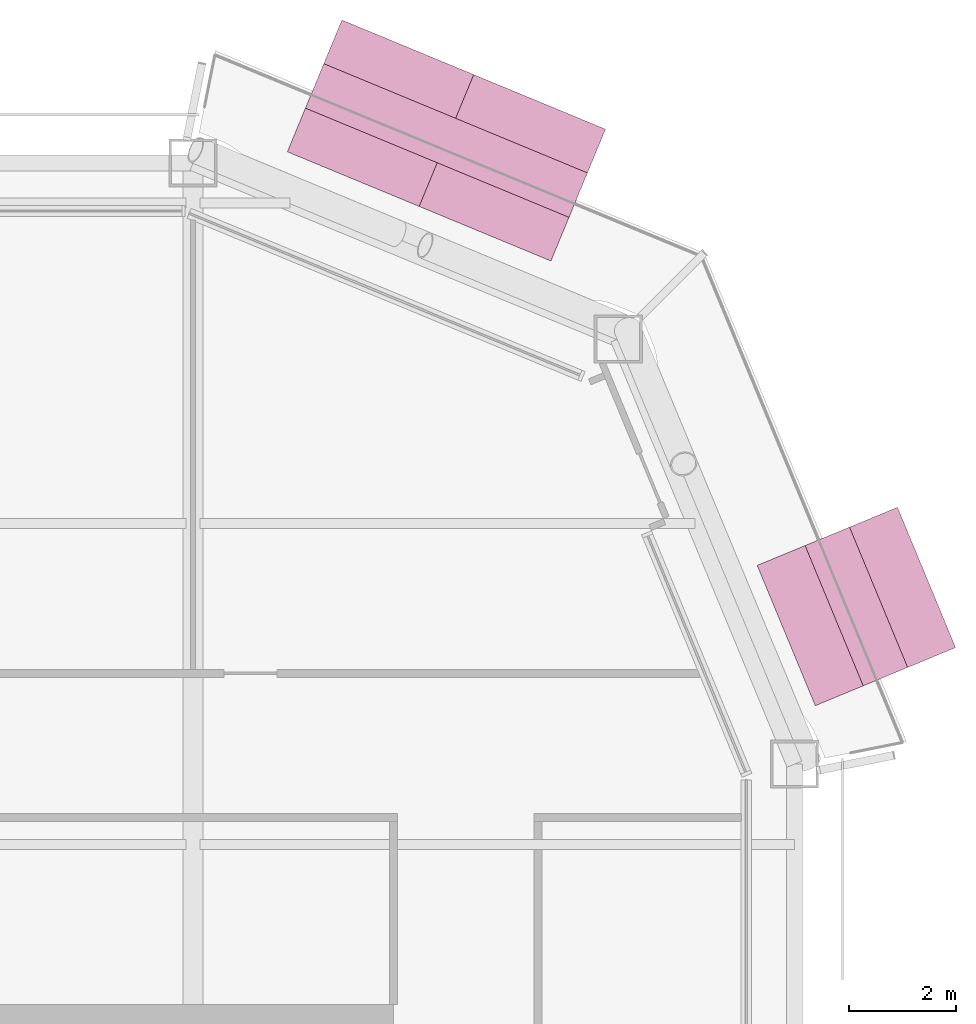
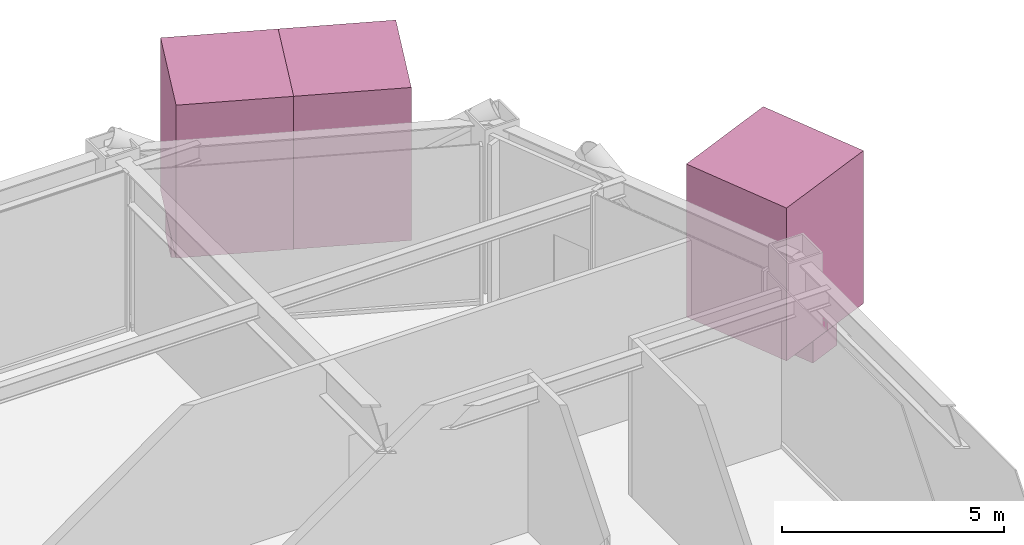
# One storey, part 24 of 24: 5 furnishings.
"""IFC4 building model written with IfcOpenShell, lengths in metres."""

from ifc_helpers import new_model, si_unit, direction, frame, origin, origin_2d, place, context, subcontext, project, spatial, rectangle, extrude, material, type_object, element, save


model = new_model("IFC4")

# Units and contexts
model_context = context("Model", 3, precision=1e-05, world=origin(), true_north=direction((0.0, 1.0)))
body_context = subcontext(model_context, "Body", "Model", "MODEL_VIEW")
ifc_project = project(units=[si_unit("LENGTHUNIT", "METRE"), si_unit("AREAUNIT", "SQUARE_METRE"), si_unit("VOLUMEUNIT", "CUBIC_METRE"), si_unit("PLANEANGLEUNIT", "RADIAN"), si_unit("MASSUNIT", "GRAM", prefix="KILO")], contexts=[model_context])

# Site, building, storey
site_placement = place(None, origin())
site = spatial("IfcSite", under=ifc_project, at=site_placement, CompositionType="ELEMENT")
building_placement = place(site_placement, origin())
building = spatial("IfcBuilding", under=site, at=building_placement, Name="Siwar Civic Tower", CompositionType="ELEMENT")
storey_placement = place(building_placement, frame((0.0, 0.0, 149.699951171875)))
storey = spatial("IfcBuildingStorey", under=building, at=storey_placement, Name="L32", CompositionType="ELEMENT", Elevation=149.699951171875)

# Furnishings
ifc_material_1 = material(Name="Planting soil and foliage")
furnishing_element_type_1 = type_object("IfcFurnishingElementType", Name="ENV-PLANTER", material=ifc_material_1)
furnishing_1_placement = place(storey_placement, frame((30.409423828125, 20.949951171875, 0.0), z_axis=(0.0, 0.0, 1.0), x_axis=(-0.382683432365, 0.923879532511, 0.0)))
element("IfcFurnishingElement", 1, at=furnishing_1_placement, inside=storey, type_object=furnishing_element_type_1, Name="PLANTER NE 1", context=body_context, shape_type="SweptSolid", body=[
    extrude(rectangle(XDim=2.84130859375, YDim=0.89990234375, at=origin_2d()), origin(), (0.0, 0.0, 1.0), 0.60009765625),
])
furnishing_2_placement = place(storey_placement, frame((22.73974609375, 29.66796875, 0.0), z_axis=(0.0, 0.0, 1.0), x_axis=(-0.923879532511, 0.382683432365, 0.0)))
element("IfcFurnishingElement", 2, at=furnishing_2_placement, inside=storey, type_object=furnishing_element_type_1, Name="PLANTER NE 2", context=body_context, shape_type="SweptSolid", body=[
    extrude(rectangle(XDim=5.33837890625, YDim=0.89990234375, at=origin_2d()), origin(), (0.0, 0.0, 1.0), 0.60009765625),
])
ifc_material_2 = material(Name="Planting soil and foliage")
furnishing_element_type_2 = type_object("IfcFurnishingElementType", Name="ENV-TREE", material=ifc_material_2)
furnishing_3_placement = place(storey_placement, frame((30.409423828125, 20.949951171875, 0.60009765625), z_axis=(0.0, 0.0, 1.0), x_axis=(-0.382683432365, 0.923879532511, 0.0)))
element("IfcFurnishingElement", 3, at=furnishing_3_placement, inside=storey, type_object=furnishing_element_type_2, Name="PLANTER (TREE) NE 1.1", context=body_context, shape_type="SweptSolid", body=[
    extrude(rectangle(XDim=2.84130859375, YDim=2.84130859375, at=origin_2d()), origin(), (0.0, 0.0, 1.0), 4.199951171875),
])
for number, where, z_axis, x_axis, name in (
    (4, (23.972900390625, 29.1572265625, 0.60009765625), (0.0, 0.0, 1.0), (-0.923879532511, 0.382683432365, 0.0), "PLANTER (TREE) NE 2.1"),
    (5, (21.5068359375, 30.1787109375, 0.60009765625), (0.0, 0.0, 1.0), (-0.923879532511, 0.382683432365, 0.0), "PLANTER (TREE) NE 2.2"),
):
    element("IfcFurnishingElement", number, at=place(storey_placement, frame(where, z_axis=z_axis, x_axis=x_axis)), inside=storey, type_object=furnishing_element_type_2, Name=name, context=body_context, shape_type="SweptSolid", body=[
        extrude(rectangle(XDim=2.669189453125, YDim=2.669189453125, at=origin_2d()), origin(), (0.0, 0.0, 1.0), 4.199951171875),
    ])

save(model, "model.ifc")
